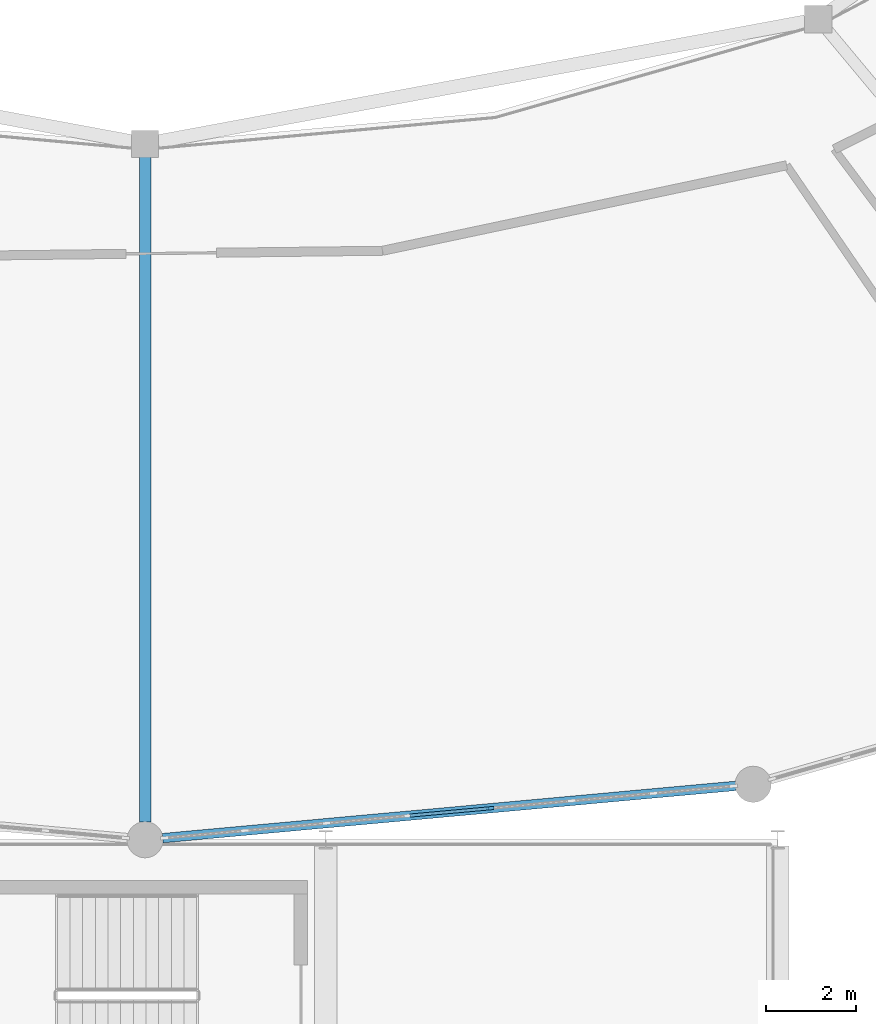
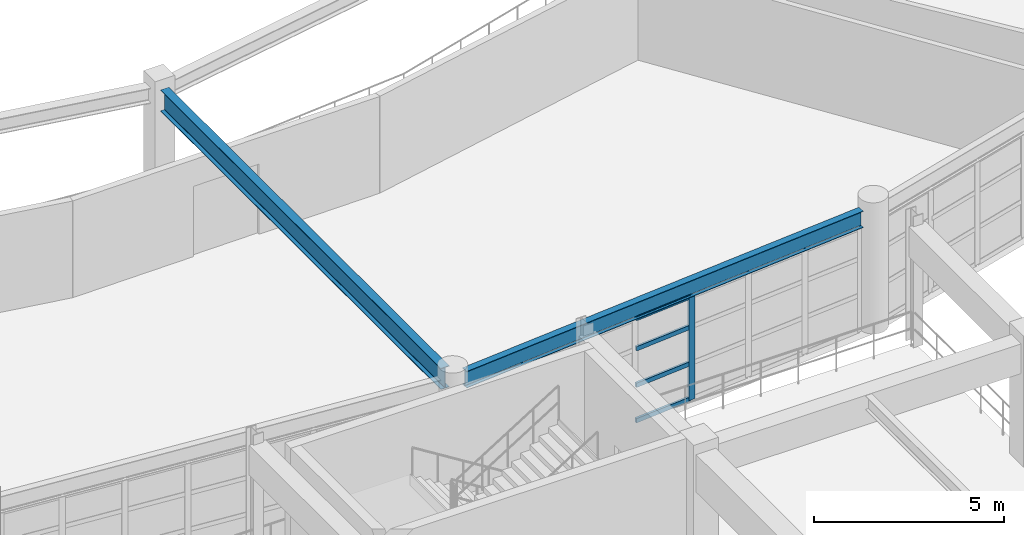
# One storey, part 27 of 100: 5 members, 2 beams, 1 element without a shape of its own.
"""IFC4 building model written with IfcOpenShell, lengths in metres."""

from ifc_helpers import new_model, si_unit, direction, frame, origin, origin_2d, place, context, subcontext, project, spatial, rectangle, i_section, extrude, material, layer, layer_set, material_profile, profile_set, type_object, element, aggregate, save


model = new_model("IFC4")

# Units and contexts
model_context = context("Model", 3, precision=1e-05, world=origin(), true_north=direction((0.0, 1.0)))
body_context = subcontext(model_context, "Body", "Model", "MODEL_VIEW")
ifc_project = project(units=[si_unit("LENGTHUNIT", "METRE"), si_unit("AREAUNIT", "SQUARE_METRE"), si_unit("VOLUMEUNIT", "CUBIC_METRE"), si_unit("PLANEANGLEUNIT", "RADIAN"), si_unit("MASSUNIT", "GRAM", prefix="KILO")], contexts=[model_context])

# Site, building, storey
site_placement = place(None, origin())
site = spatial("IfcSite", under=ifc_project, at=site_placement, CompositionType="ELEMENT")
building_placement = place(site_placement, origin())
building = spatial("IfcBuilding", under=site, at=building_placement, Name="Kivolera Central Railway Station", CompositionType="ELEMENT")
storey_placement = place(building_placement, frame((0.0, 0.0, 5.39990234375)))
storey = spatial("IfcBuildingStorey", under=building, at=storey_placement, Name="L01", CompositionType="ELEMENT", Elevation=5.39990234375)

# Beams
ifc_material_1 = material(Name="Steel S355", Category="steel")
ifc_material_profile_1 = material_profile(ifc_material_1, i_section(OverallWidth=0.209228515625, OverallDepth=0.533203125, WebThickness=0.010009765625, FlangeThickness=0.015625, FilletRadius=0.0126953125, at=origin_2d()), Name="UB 533x210x92")
ifc_profile_set_1 = profile_set([ifc_material_profile_1], Name="Steel S355")
beam_type_1 = type_object("IfcBeamType", Name="BM-SHD-UB533", PredefinedType="BEAM", material=ifc_profile_set_1)
beam_1_placement = place(storey_placement, frame((64.387939453125, 54.034912109375, 3.611083984375), z_axis=(0.9958650324, 0.090845127787, 0.0), x_axis=(-0.090845127787, 0.9958650324, 0.0)))
element("IfcBeam", 1, at=beam_1_placement, inside=storey, type_object=beam_type_1, Name="L01 Oval Perimeter Ring Beam 19", PredefinedType="BEAM", context=body_context, shape_type="SweptSolid", body=[
    extrude(i_section(OverallWidth=0.209228515625, OverallDepth=0.533203125, WebThickness=0.010009765625, FlangeThickness=0.015625, FilletRadius=0.0126953125, at=origin_2d()), origin(), (0.0, 0.0, 1.0), 12.73583984375),
])
ifc_material_profile_2 = material_profile(ifc_material_1, i_section(OverallWidth=0.253662109375, OverallDepth=0.68359375, WebThickness=0.012451171875, FlangeThickness=0.01904296875, FilletRadius=0.01513671875, at=origin_2d()), Name="UB 686x254x140")
ifc_profile_set_2 = profile_set([ifc_material_profile_2], Name="Steel S355")
beam_type_2 = type_object("IfcBeamType", Name="BM-SHD-UB686", PredefinedType="BEAM", material=ifc_profile_set_2)
beam_2_placement = place(storey_placement, frame((64.0, 69.10791015625, 3.5361328125), z_axis=(0.0, -1.0, 0.0), x_axis=(1.0, 0.0, 0.0)))
element("IfcBeam", 2, at=beam_2_placement, inside=storey, type_object=beam_type_2, Name="L01 Oval Gallery Radial Girder 10", PredefinedType="BEAM", context=body_context, shape_type="SweptSolid", body=[
    extrude(i_section(OverallWidth=0.253662109375, OverallDepth=0.68359375, WebThickness=0.012451171875, FlangeThickness=0.01904296875, FilletRadius=0.01513671875, at=origin_2d()), origin(), (0.0, 0.0, 1.0), 14.718017578125),
])

# Curtain wall, members
ifc_material_2 = material(Name="Anodised aluminium", Category="aluminium")
ifc_layer = layer(ifc_material_2, 0.179931640625, Name="Anodised aluminium")
ifc_layer_set = layer_set([ifc_layer], Name="Anodised aluminium")
curtain_wall_type = type_object("IfcCurtainWallType", Name="CW-SYS-12", PredefinedType="NOTDEFINED", material=ifc_layer_set)
curtain_wall_placement = place(storey_placement, origin())
curtain_wall = element("IfcCurtainWall", 3, at=curtain_wall_placement, inside=storey, type_object=curtain_wall_type, Name="L01 Curtain Wall CW-L01-OVL-18", PredefinedType="NOTDEFINED")
ifc_material_profile_3 = material_profile(ifc_material_2, rectangle(XDim=0.070068359375, YDim=0.179931640625, at=origin_2d()), Name="ALU MULL 70x180")
ifc_profile_set_3 = profile_set([ifc_material_profile_3], Name="Anodised aluminium")
member_type_1 = type_object("IfcMemberType", Name="CWM-MUL-1", PredefinedType="MULLION", material=ifc_profile_set_3)
member_1_placement = place(storey_placement, frame((71.634033203125, 54.696044921875, -0.0048828125), z_axis=(0.0, 0.0, 1.0), x_axis=(0.090833556942, -0.995866087852, 0.0)))
member_1 = element("IfcMember", 4, at=member_1_placement, type_object=member_type_1, Name="CW-12 mullion 4", PredefinedType="MULLION", context=body_context, shape_type="SweptSolid", body=[
    extrude(rectangle(XDim=0.070068359375, YDim=0.179931640625, at=origin_2d()), origin(), (0.0, 0.0, 1.0), 3.344970703125),
])
ifc_material_profile_4 = material_profile(ifc_material_2, rectangle(XDim=0.070068359375, YDim=0.139892578125, at=origin_2d()), Name="ALU TRAN 70x140")
ifc_profile_set_4 = profile_set([ifc_material_profile_4], Name="Anodised aluminium")
member_type_2 = type_object("IfcMemberType", Name="CWM-TRN-1", PredefinedType="USERDEFINED", material=ifc_profile_set_4)
member_2_placement = place(storey_placement, frame((71.59912109375, 54.69287109375, 0.03515625), z_axis=(-0.995863361258, -0.09086344537, 0.0), x_axis=(0.09086344537, -0.995863361258, 0.0)))
member_2 = element("IfcMember", 5, at=member_2_placement, type_object=member_type_2, Name="CW-12 transom 4.1", ObjectType="TRANSOM", PredefinedType="USERDEFINED", context=body_context, shape_type="SweptSolid", body=[
    extrude(rectangle(XDim=0.070068359375, YDim=0.139892578125, at=origin_2d()), origin(), (0.0, 0.0, 1.0), 1.74658203125),
])
member_3_placement = place(storey_placement, frame((71.59912109375, 54.69287109375, 1.169189453125), z_axis=(-0.995863361258, -0.09086344537, 0.0), x_axis=(0.09086344537, -0.995863361258, 0.0)))
member_3 = element("IfcMember", 6, at=member_3_placement, type_object=member_type_2, Name="CW-12 transom 4.2", ObjectType="TRANSOM", PredefinedType="USERDEFINED", context=body_context, shape_type="SweptSolid", body=[
    extrude(rectangle(XDim=0.070068359375, YDim=0.139892578125, at=origin_2d()), origin(), (0.0, 0.0, 1.0), 1.74658203125),
])
member_4_placement = place(storey_placement, frame((71.59912109375, 54.69287109375, 2.338134765625), z_axis=(-0.995863361258, -0.09086344537, 0.0), x_axis=(0.09086344537, -0.995863361258, 0.0)))
member_4 = element("IfcMember", 7, at=member_4_placement, type_object=member_type_2, Name="CW-12 transom 4.3", ObjectType="TRANSOM", PredefinedType="USERDEFINED", context=body_context, shape_type="SweptSolid", body=[
    extrude(rectangle(XDim=0.070068359375, YDim=0.139892578125, at=origin_2d()), origin(), (0.0, 0.0, 1.0), 1.74658203125),
])
member_5_placement = place(storey_placement, frame((71.59912109375, 54.69287109375, 3.30517578125), z_axis=(-0.995863361258, -0.09086344537, 0.0), x_axis=(0.09086344537, -0.995863361258, 0.0)))
member_5 = element("IfcMember", 8, at=member_5_placement, type_object=member_type_2, Name="CW-12 transom 4.4", ObjectType="TRANSOM", PredefinedType="USERDEFINED", context=body_context, shape_type="SweptSolid", body=[
    extrude(rectangle(XDim=0.070068359375, YDim=0.139892578125, at=origin_2d()), origin(), (0.0, 0.0, 1.0), 1.74658203125),
])
aggregate(curtain_wall, [member_1, member_2, member_3, member_4, member_5])

save(model, "model.ifc")
